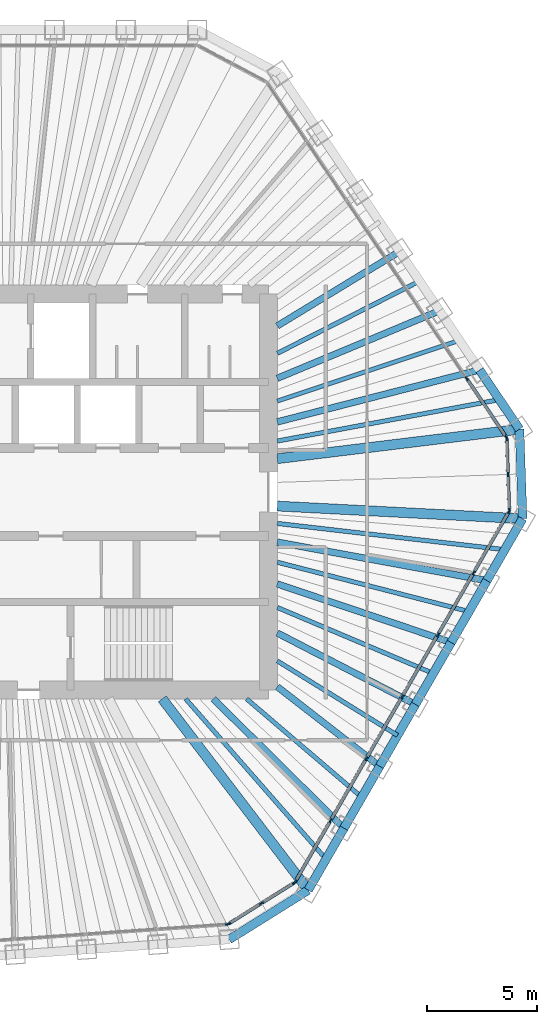
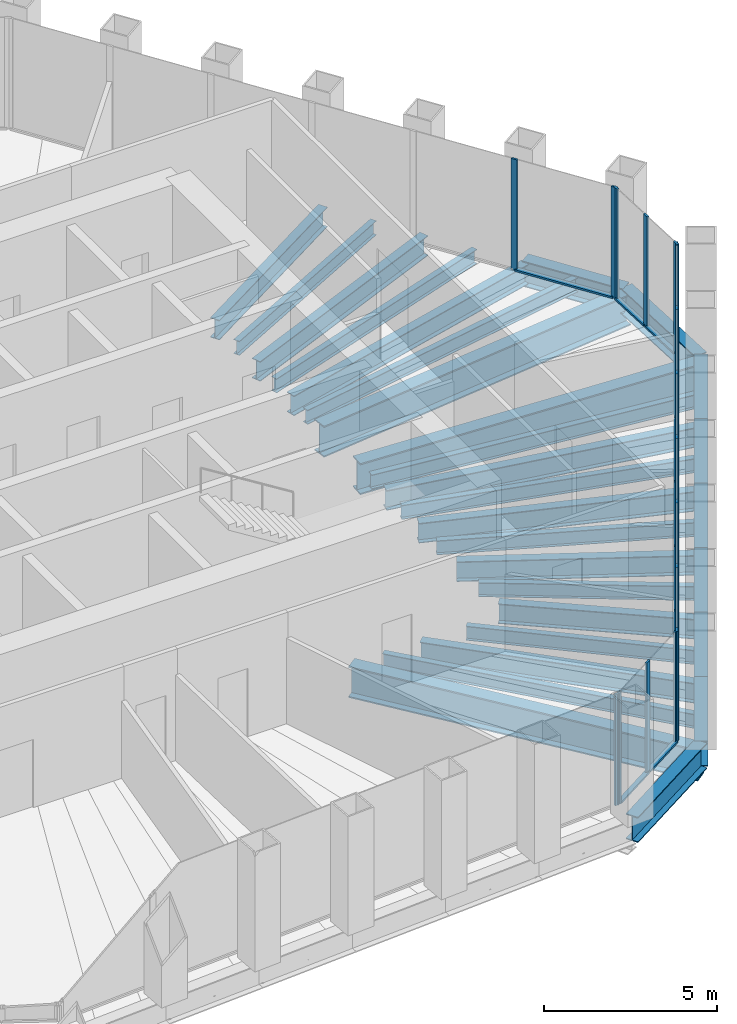
# One storey, part 5 of 14: 29 beams, 27 members, 5 elements without a shape of their own.
"""IFC4 building model written with IfcOpenShell, lengths in metres."""

from ifc_helpers import new_model, si_unit, direction, frame, origin, origin_2d, place, context, subcontext, project, spatial, rectangle, i_section, extrude, material, material_profile, profile_set, type_object, element, aggregate, save


model = new_model("IFC4")

# Units and contexts
model_context = context("Model", 3, precision=1e-05, world=origin(), true_north=direction((0.0, 1.0)))
body_context = subcontext(model_context, "Body", "Model", "MODEL_VIEW")
ifc_project = project(units=[si_unit("LENGTHUNIT", "METRE"), si_unit("AREAUNIT", "SQUARE_METRE"), si_unit("VOLUMEUNIT", "CUBIC_METRE"), si_unit("PLANEANGLEUNIT", "RADIAN"), si_unit("MASSUNIT", "GRAM", prefix="KILO")], contexts=[model_context])

# Site, building, storey
site_placement = place(None, origin())
site = spatial("IfcSite", under=ifc_project, at=site_placement, CompositionType="ELEMENT")
building_placement = place(site_placement, origin())
building = spatial("IfcBuilding", under=site, at=building_placement, Name="Qingtian Harvest Tower", CompositionType="ELEMENT")
storey_placement = place(building_placement, frame((0.0, 0.0, 333.39990234375)))
storey = spatial("IfcBuildingStorey", under=building, at=storey_placement, Name="L74", CompositionType="ELEMENT", Elevation=333.39990234375)

# Beams
ifc_material_1 = material(Name="Steel SM570MC", Category="steel")
ifc_material_profile_1 = material_profile(ifc_material_1, i_section(OverallWidth=0.449951171875, OverallDepth=1.10009765625, WebThickness=0.02197265625, FlangeThickness=0.044921875, at=origin_2d()), Name="H1100x450x22x45")
ifc_profile_set_1 = profile_set([ifc_material_profile_1], Name="Steel SM570MC")
beam_type_1 = type_object("IfcBeamType", Name="Corner floor beam FB8 H1100x450x22x45", PredefinedType="BEAM", material=ifc_profile_set_1)
beam_1_placement = place(storey_placement, frame((23.405517578125, 2.85400390625, -0.719970703125), z_axis=(-0.992647039178, -0.121044849583, 0.0), x_axis=(0.121044849583, -0.992647039178, 0.0)))
element("IfcBeam", 1, at=beam_1_placement, inside=storey, type_object=beam_type_1, Name="Floor beam FB8 NE6", PredefinedType="BEAM", context=body_context, shape_type="SweptSolid", body=[
    extrude(i_section(OverallWidth=0.449951171875, OverallDepth=1.10009765625, WebThickness=0.02197265625, FlangeThickness=0.044921875, at=origin_2d()), origin(), (0.0, 0.0, 1.0), 11.087158203125),
])
beam_2_placement = place(storey_placement, frame((23.547607421875, -1.21435546875, -0.719970703125), z_axis=(-0.998672618964, 0.051507282312, 0.0), x_axis=(-0.051507282312, -0.998672618964, 0.0)))
element("IfcBeam", 2, at=beam_2_placement, inside=storey, type_object=beam_type_1, Name="Floor beam FB8 SE0", PredefinedType="BEAM", context=body_context, shape_type="SweptSolid", body=[
    extrude(i_section(OverallWidth=0.449951171875, OverallDepth=1.10009765625, WebThickness=0.02197265625, FlangeThickness=0.044921875, at=origin_2d()), origin(), (0.0, 0.0, 1.0), 11.16259765625),
])
beam_3_placement = place(storey_placement, frame((13.803466796875, -18.091552734375, -0.719970703125), z_axis=(-0.606571927806, 0.795028613572, 0.0), x_axis=(-0.795028613572, -0.606571927806, 0.0)))
element("IfcBeam", 3, at=beam_3_placement, inside=storey, type_object=beam_type_1, Name="Floor beam FB8 SE6", PredefinedType="BEAM", context=body_context, shape_type="SweptSolid", body=[
    extrude(i_section(OverallWidth=0.449951171875, OverallDepth=1.10009765625, WebThickness=0.02197265625, FlangeThickness=0.044921875, at=origin_2d()), origin(), (0.0, 0.0, 1.0), 10.9326171875),
])
ifc_material_2 = material(Name="Steel SN490B", Category="steel")
ifc_material_profile_2 = material_profile(ifc_material_2, i_section(OverallWidth=0.300048828125, OverallDepth=0.699951171875, WebThickness=0.012939453125, FlangeThickness=0.02392578125, at=origin_2d()), Name="H700x300x13x24")
ifc_profile_set_2 = profile_set([ifc_material_profile_2], Name="Steel SN490B")
beam_type_2 = type_object("IfcBeamType", Name="Floor beam FB4 H700x300x13x24", PredefinedType="BEAM", material=ifc_profile_set_2)
beam_4_placement = place(storey_placement, frame((17.956787109375, 10.93212890625, -0.52001953125), z_axis=(-0.854157247087, -0.520014804836, 0.0), x_axis=(0.520014804836, -0.854157247087, 0.0)))
element("IfcBeam", 4, at=beam_4_placement, inside=storey, type_object=beam_type_2, Name="Floor beam FB4 NE3", PredefinedType="BEAM", context=body_context, shape_type="SweptSolid", body=[
    extrude(i_section(OverallWidth=0.300048828125, OverallDepth=0.699951171875, WebThickness=0.012939453125, FlangeThickness=0.02392578125, at=origin_2d()), origin(), (0.0, 0.0, 1.0), 6.505615234375),
])
beam_5_placement = place(storey_placement, frame((19.77294921875, 8.2392578125, -0.52001953125), z_axis=(-0.923069688542, -0.38463274704, 0.0), x_axis=(0.38463274704, -0.923069688542, 0.0)))
element("IfcBeam", 5, at=beam_5_placement, inside=storey, type_object=beam_type_2, Name="Floor beam FB4 NE4", PredefinedType="BEAM", context=body_context, shape_type="SweptSolid", body=[
    extrude(i_section(OverallWidth=0.300048828125, OverallDepth=0.699951171875, WebThickness=0.012939453125, FlangeThickness=0.02392578125, at=origin_2d()), origin(), (0.0, 0.0, 1.0), 7.987548828125),
])
beam_6_placement = place(storey_placement, frame((21.58935546875, 5.546630859375, -0.52001953125), z_axis=(-0.96854787986, -0.248827258189, 0.0), x_axis=(0.248827258189, -0.96854787986, 0.0)))
element("IfcBeam", 6, at=beam_6_placement, inside=storey, type_object=beam_type_2, Name="Floor beam FB4 NE5", PredefinedType="BEAM", context=body_context, shape_type="SweptSolid", body=[
    extrude(i_section(OverallWidth=0.300048828125, OverallDepth=0.699951171875, WebThickness=0.012939453125, FlangeThickness=0.02392578125, at=origin_2d()), origin(), (0.0, 0.0, 1.0), 9.48779296875),
])
beam_7_placement = place(storey_placement, frame((21.923583984375, -4.027099609375, -0.52001953125), z_axis=(-0.983546800525, 0.180653511389, 0.0), x_axis=(-0.180653511389, -0.983546800525, 0.0)))
element("IfcBeam", 7, at=beam_7_placement, inside=storey, type_object=beam_type_2, Name="Floor beam FB4 SE1", PredefinedType="BEAM", context=body_context, shape_type="SweptSolid", body=[
    extrude(i_section(OverallWidth=0.300048828125, OverallDepth=0.699951171875, WebThickness=0.012939453125, FlangeThickness=0.02392578125, at=origin_2d()), origin(), (0.0, 0.0, 1.0), 9.68310546875),
])
beam_8_placement = place(storey_placement, frame((20.299560546875, -6.840087890625, -0.52001953125), z_axis=(-0.947647345861, 0.319318818553, 0.0), x_axis=(-0.319318818553, -0.947647345861, 0.0)))
element("IfcBeam", 8, at=beam_8_placement, inside=storey, type_object=beam_type_2, Name="Floor beam FB4 SE2", PredefinedType="BEAM", context=body_context, shape_type="SweptSolid", body=[
    extrude(i_section(OverallWidth=0.300048828125, OverallDepth=0.699951171875, WebThickness=0.012939453125, FlangeThickness=0.02392578125, at=origin_2d()), origin(), (0.0, 0.0, 1.0), 8.336181640625),
])
beam_9_placement = place(storey_placement, frame((18.675537109375, -9.65283203125, -0.52001953125), z_axis=(-0.888354253651, 0.459158708967, 0.0), x_axis=(-0.459158708967, -0.888354253651, 0.0)))
element("IfcBeam", 9, at=beam_9_placement, inside=storey, type_object=beam_type_2, Name="Floor beam FB4 SE3", PredefinedType="BEAM", context=body_context, shape_type="SweptSolid", body=[
    extrude(i_section(OverallWidth=0.300048828125, OverallDepth=0.699951171875, WebThickness=0.012939453125, FlangeThickness=0.02392578125, at=origin_2d()), origin(), (0.0, 0.0, 1.0), 7.064453125),
])
beam_10_placement = place(storey_placement, frame((17.051513671875, -12.4658203125, -0.52001953125), z_axis=(-0.789532919969, 0.613708211029, 0.0), x_axis=(-0.613708211029, -0.789532919969, 0.0)))
element("IfcBeam", 10, at=beam_10_placement, inside=storey, type_object=beam_type_2, Name="Floor beam FB4 SE4", PredefinedType="BEAM", context=body_context, shape_type="SweptSolid", body=[
    extrude(i_section(OverallWidth=0.300048828125, OverallDepth=0.699951171875, WebThickness=0.012939453125, FlangeThickness=0.02392578125, at=origin_2d()), origin(), (0.0, 0.0, 1.0), 5.8916015625),
])
beam_11_placement = place(storey_placement, frame((15.427490234375, -15.278564453125, -0.52001953125), z_axis=(-0.71051769643, 0.703679332552, 0.0), x_axis=(-0.703679332552, -0.71051769643, 0.0)))
element("IfcBeam", 11, at=beam_11_placement, inside=storey, type_object=beam_type_2, Name="Floor beam FB4 SE5", PredefinedType="BEAM", context=body_context, shape_type="SweptSolid", body=[
    extrude(i_section(OverallWidth=0.300048828125, OverallDepth=0.699951171875, WebThickness=0.012939453125, FlangeThickness=0.02392578125, at=origin_2d()), origin(), (0.0, 0.0, 1.0), 8.354248046875),
])
ifc_material_3 = material(Name="Steel SN490B", Category="steel")
ifc_material_profile_3 = material_profile(ifc_material_3, i_section(OverallWidth=0.199951171875, OverallDepth=0.5, WebThickness=0.010009765625, FlangeThickness=0.01611328125, at=origin_2d()), Name="H500x200x10x16")
ifc_profile_set_3 = profile_set([ifc_material_profile_3], Name="Steel SN490B")
beam_type_3 = type_object("IfcBeamType", Name="Floor joist J3 H500x200x10x16", PredefinedType="JOIST", material=ifc_profile_set_3)
beam_12_placement = place(storey_placement, frame((18.864990234375, 9.585693359375, -0.419921875), z_axis=(-0.891519956149, -0.452981421018, 0.0), x_axis=(0.452981421018, -0.891519956149, 0.0)))
element("IfcBeam", 12, at=beam_12_placement, inside=storey, type_object=beam_type_3, Name="Floor joist J3 NE3", PredefinedType="JOIST", context=body_context, shape_type="SweptSolid", body=[
    extrude(i_section(OverallWidth=0.199951171875, OverallDepth=0.5, WebThickness=0.010009765625, FlangeThickness=0.01611328125, at=origin_2d()), origin(), (0.0, 0.0, 1.0), 7.251708984375),
])
beam_13_placement = place(storey_placement, frame((20.68115234375, 6.89306640625, -0.419921875), z_axis=(-0.948688891587, -0.316210984914, 0.0), x_axis=(0.316210984914, -0.948688891587, 0.0)))
element("IfcBeam", 13, at=beam_13_placement, inside=storey, type_object=beam_type_3, Name="Floor joist J3 NE4", PredefinedType="JOIST", context=body_context, shape_type="SweptSolid", body=[
    extrude(i_section(OverallWidth=0.199951171875, OverallDepth=0.5, WebThickness=0.010009765625, FlangeThickness=0.01611328125, at=origin_2d()), origin(), (0.0, 0.0, 1.0), 8.729248046875),
])
beam_14_placement = place(storey_placement, frame((22.49755859375, 4.2001953125, -0.419921875), z_axis=(-0.983018248018, -0.183507831067, 0.0), x_axis=(0.183507831067, -0.983018248018, 0.0)))
element("IfcBeam", 14, at=beam_14_placement, inside=storey, type_object=beam_type_3, Name="Floor joist J3 NE5", PredefinedType="JOIST", context=body_context, shape_type="SweptSolid", body=[
    extrude(i_section(OverallWidth=0.199951171875, OverallDepth=0.5, WebThickness=0.010009765625, FlangeThickness=0.01611328125, at=origin_2d()), origin(), (0.0, 0.0, 1.0), 10.27197265625),
])
beam_15_placement = place(storey_placement, frame((22.735595703125, -2.62060546875, -0.419921875), z_axis=(-0.993421775836, 0.114512773499, 0.0), x_axis=(-0.114512773499, -0.993421775836, 0.0)))
element("IfcBeam", 15, at=beam_15_placement, inside=storey, type_object=beam_type_3, Name="Floor joist J3 SE0", PredefinedType="JOIST", context=body_context, shape_type="SweptSolid", body=[
    extrude(i_section(OverallWidth=0.199951171875, OverallDepth=0.5, WebThickness=0.010009765625, FlangeThickness=0.01611328125, at=origin_2d()), origin(), (0.0, 0.0, 1.0), 10.404052734375),
])
beam_16_placement = place(storey_placement, frame((21.111572265625, -5.43359375, -0.419921875), z_axis=(-0.968438109541, 0.249254143374, 0.0), x_axis=(-0.249254143374, -0.968438109541, 0.0)))
element("IfcBeam", 16, at=beam_16_placement, inside=storey, type_object=beam_type_3, Name="Floor joist J3 SE1", PredefinedType="JOIST", context=body_context, shape_type="SweptSolid", body=[
    extrude(i_section(OverallWidth=0.199951171875, OverallDepth=0.5, WebThickness=0.010009765625, FlangeThickness=0.01611328125, at=origin_2d()), origin(), (0.0, 0.0, 1.0), 8.99560546875),
])
beam_17_placement = place(storey_placement, frame((19.487548828125, -8.246337890625, -0.419921875), z_axis=(-0.92094842321, 0.389684490052, 0.0), x_axis=(-0.389684490052, -0.92094842321, 0.0)))
element("IfcBeam", 17, at=beam_17_placement, inside=storey, type_object=beam_type_3, Name="Floor joist J3 SE2", PredefinedType="JOIST", context=body_context, shape_type="SweptSolid", body=[
    extrude(i_section(OverallWidth=0.199951171875, OverallDepth=0.5, WebThickness=0.010009765625, FlangeThickness=0.01611328125, at=origin_2d()), origin(), (0.0, 0.0, 1.0), 7.696044921875),
])
beam_18_placement = place(storey_placement, frame((17.863525390625, -11.059326171875, -0.419921875), z_axis=(-0.850242474743, 0.526391236765, 0.0), x_axis=(-0.526391236765, -0.850242474743, 0.0)))
element("IfcBeam", 18, at=beam_18_placement, inside=storey, type_object=beam_type_3, Name="Floor joist J3 SE3", PredefinedType="JOIST", context=body_context, shape_type="SweptSolid", body=[
    extrude(i_section(OverallWidth=0.199951171875, OverallDepth=0.5, WebThickness=0.010009765625, FlangeThickness=0.01611328125, at=origin_2d()), origin(), (0.0, 0.0, 1.0), 6.426025390625),
])
beam_19_placement = place(storey_placement, frame((16.239501953125, -13.8720703125, -0.419921875), z_axis=(-0.760351789284, 0.649511475289, 0.0), x_axis=(-0.649511475289, -0.760351789284, 0.0)))
element("IfcBeam", 19, at=beam_19_placement, inside=storey, type_object=beam_type_3, Name="Floor joist J3 SE4", PredefinedType="JOIST", context=body_context, shape_type="SweptSolid", body=[
    extrude(i_section(OverallWidth=0.199951171875, OverallDepth=0.5, WebThickness=0.010009765625, FlangeThickness=0.01611328125, at=origin_2d()), origin(), (0.0, 0.0, 1.0), 6.885498046875),
])
beam_20_placement = place(storey_placement, frame((14.615478515625, -16.68505859375, -0.419921875), z_axis=(-0.658904284354, 0.75222679031, 0.0), x_axis=(-0.75222679031, -0.658904284354, 0.0)))
element("IfcBeam", 20, at=beam_20_placement, inside=storey, type_object=beam_type_3, Name="Floor joist J3 SE5", PredefinedType="JOIST", context=body_context, shape_type="SweptSolid", body=[
    extrude(i_section(OverallWidth=0.199951171875, OverallDepth=0.5, WebThickness=0.010009765625, FlangeThickness=0.01611328125, at=origin_2d()), origin(), (0.0, 0.0, 1.0), 9.684814453125),
])

# Curtain wall, members
ifc_material_4 = material(Name="Bronze-anodised aluminium curtain wall", Category="aluminium")
curtain_wall_type = type_object("IfcCurtainWallType", Name="Curtain wall CW6 executive floors", PredefinedType="USERDEFINED", material=ifc_material_4)
curtain_wall_1_placement = place(storey_placement, origin())
curtain_wall_1 = element("IfcCurtainWall", 21, at=curtain_wall_1_placement, inside=storey, type_object=curtain_wall_type, Name="Curtain wall CW6 L74 NE0-5", ObjectType="RECESSED CURTAIN WALL", PredefinedType="USERDEFINED")
ifc_material_5 = material(Name="Bronze-anodised aluminium mullion", Category="aluminium")
ifc_material_profile_4 = material_profile(ifc_material_5, rectangle(XDim=0.06494140625, YDim=0.199951171875, at=origin_2d()), Name="AL 65x200")
ifc_profile_set_4 = profile_set([ifc_material_profile_4], Name="Bronze-anodised aluminium mullion")
member_type_1 = type_object("IfcMemberType", Name="Mullion CWM 65x200", PredefinedType="MULLION", material=ifc_profile_set_4)
member_1_placement = place(storey_placement, frame((21.009033203125, 5.1552734375, 0.0), z_axis=(0.0, 0.0, 1.0), x_axis=(0.829037572555, 0.559192903471, 0.0)))
member_1 = element("IfcMember", 22, at=member_1_placement, type_object=member_type_1, Name="CW6 mullion 6", PredefinedType="MULLION", context=body_context, shape_type="SweptSolid", body=[
    extrude(rectangle(XDim=0.06494140625, YDim=0.199951171875, at=origin_2d()), origin(), (0.0, 0.0, 1.0), 3.920166015625),
])
member_2_placement = place(storey_placement, frame((22.80712890625, 2.489501953125, 0.0), z_axis=(0.0, 0.0, 1.0), x_axis=(0.829037572555, 0.559192903471, 0.0)))
member_2 = element("IfcMember", 23, at=member_2_placement, type_object=member_type_1, Name="CW6 mullion 7", PredefinedType="MULLION", context=body_context, shape_type="SweptSolid", body=[
    extrude(rectangle(XDim=0.06494140625, YDim=0.199951171875, at=origin_2d()), origin(), (0.0, 0.0, 1.0), 3.920166015625),
])

curtain_wall_2_placement = place(storey_placement, origin())
curtain_wall_2 = element("IfcCurtainWall", 24, at=curtain_wall_2_placement, inside=storey, type_object=curtain_wall_type, Name="Curtain wall CW6 L74 NEC", ObjectType="RECESSED CURTAIN WALL", PredefinedType="USERDEFINED")
member_3_placement = place(storey_placement, frame((22.826416015625, 2.429931640625, 0.0), z_axis=(0.0, 0.0, 1.0), x_axis=(0.999390827019, 0.034899496703, 0.0)))
member_3 = element("IfcMember", 25, at=member_3_placement, type_object=member_type_1, Name="CW6 mullion 1", PredefinedType="MULLION", context=body_context, shape_type="SweptSolid", body=[
    extrude(rectangle(XDim=0.06494140625, YDim=0.199951171875, at=origin_2d()), origin(), (0.0, 0.0, 1.0), 3.920166015625),
])
member_4_placement = place(storey_placement, frame((22.88330078125, 0.799072265625, 0.0), z_axis=(0.0, 0.0, 1.0), x_axis=(0.999390827019, 0.034899496703, 0.0)))
member_4 = element("IfcMember", 26, at=member_4_placement, type_object=member_type_1, Name="CW6 mullion 2", PredefinedType="MULLION", context=body_context, shape_type="SweptSolid", body=[
    extrude(rectangle(XDim=0.06494140625, YDim=0.199951171875, at=origin_2d()), origin(), (0.0, 0.0, 1.0), 3.920166015625),
])
member_5_placement = place(storey_placement, frame((22.9404296875, -0.831787109375, 0.0), z_axis=(0.0, 0.0, 1.0), x_axis=(0.999390827019, 0.034899496703, 0.0)))
member_5 = element("IfcMember", 27, at=member_5_placement, type_object=member_type_1, Name="CW6 mullion 3", PredefinedType="MULLION", context=body_context, shape_type="SweptSolid", body=[
    extrude(rectangle(XDim=0.06494140625, YDim=0.199951171875, at=origin_2d()), origin(), (0.0, 0.0, 1.0), 3.920166015625),
])

curtain_wall_3_placement = place(storey_placement, origin())
curtain_wall_3 = element("IfcCurtainWall", 28, at=curtain_wall_3_placement, inside=storey, type_object=curtain_wall_type, Name="Curtain wall CW6 L74 SE0-5", ObjectType="RECESSED CURTAIN WALL", PredefinedType="USERDEFINED")
member_6_placement = place(storey_placement, frame((22.92529296875, -0.892333984375, 0.0), z_axis=(0.0, 0.0, 1.0), x_axis=(0.866025403784, -0.5, 0.0)))
member_6 = element("IfcMember", 29, at=member_6_placement, type_object=member_type_1, Name="CW6 mullion 1", PredefinedType="MULLION", context=body_context, shape_type="SweptSolid", body=[
    extrude(rectangle(XDim=0.06494140625, YDim=0.199951171875, at=origin_2d()), origin(), (0.0, 0.0, 1.0), 3.920166015625),
])
member_7_placement = place(storey_placement, frame((21.3173828125, -3.67724609375, 0.0), z_axis=(0.0, 0.0, 1.0), x_axis=(0.866025403784, -0.5, 0.0)))
member_7 = element("IfcMember", 30, at=member_7_placement, type_object=member_type_1, Name="CW6 mullion 2", PredefinedType="MULLION", context=body_context, shape_type="SweptSolid", body=[
    extrude(rectangle(XDim=0.06494140625, YDim=0.199951171875, at=origin_2d()), origin(), (0.0, 0.0, 1.0), 3.920166015625),
])
member_8_placement = place(storey_placement, frame((19.693359375, -6.489990234375, 0.0), z_axis=(0.0, 0.0, 1.0), x_axis=(0.866025403784, -0.5, 0.0)))
member_8 = element("IfcMember", 31, at=member_8_placement, type_object=member_type_1, Name="CW6 mullion 3", PredefinedType="MULLION", context=body_context, shape_type="SweptSolid", body=[
    extrude(rectangle(XDim=0.06494140625, YDim=0.199951171875, at=origin_2d()), origin(), (0.0, 0.0, 1.0), 3.920166015625),
])
member_9_placement = place(storey_placement, frame((18.0693359375, -9.302978515625, 0.0), z_axis=(0.0, 0.0, 1.0), x_axis=(0.866025403784, -0.5, 0.0)))
member_9 = element("IfcMember", 32, at=member_9_placement, type_object=member_type_1, Name="CW6 mullion 4", PredefinedType="MULLION", context=body_context, shape_type="SweptSolid", body=[
    extrude(rectangle(XDim=0.06494140625, YDim=0.199951171875, at=origin_2d()), origin(), (0.0, 0.0, 1.0), 3.920166015625),
])
member_10_placement = place(storey_placement, frame((16.4453125, -12.11572265625, 0.0), z_axis=(0.0, 0.0, 1.0), x_axis=(0.866025403784, -0.5, 0.0)))
member_10 = element("IfcMember", 33, at=member_10_placement, type_object=member_type_1, Name="CW6 mullion 5", PredefinedType="MULLION", context=body_context, shape_type="SweptSolid", body=[
    extrude(rectangle(XDim=0.06494140625, YDim=0.199951171875, at=origin_2d()), origin(), (0.0, 0.0, 1.0), 3.920166015625),
])
member_11_placement = place(storey_placement, frame((14.8212890625, -14.9287109375, 0.0), z_axis=(0.0, 0.0, 1.0), x_axis=(0.866025403784, -0.5, 0.0)))
member_11 = element("IfcMember", 34, at=member_11_placement, type_object=member_type_1, Name="CW6 mullion 6", PredefinedType="MULLION", context=body_context, shape_type="SweptSolid", body=[
    extrude(rectangle(XDim=0.06494140625, YDim=0.199951171875, at=origin_2d()), origin(), (0.0, 0.0, 1.0), 3.920166015625),
])
member_12_placement = place(storey_placement, frame((13.213623046875, -17.71337890625, 0.0), z_axis=(0.0, 0.0, 1.0), x_axis=(0.866025403784, -0.5, 0.0)))
member_12 = element("IfcMember", 35, at=member_12_placement, type_object=member_type_1, Name="CW6 mullion 7", PredefinedType="MULLION", context=body_context, shape_type="SweptSolid", body=[
    extrude(rectangle(XDim=0.06494140625, YDim=0.199951171875, at=origin_2d()), origin(), (0.0, 0.0, 1.0), 3.920166015625),
])

curtain_wall_4_placement = place(storey_placement, origin())
curtain_wall_4 = element("IfcCurtainWall", 36, at=curtain_wall_4_placement, inside=storey, type_object=curtain_wall_type, Name="Curtain wall CW6 L74 SEC", ObjectType="RECESSED CURTAIN WALL", PredefinedType="USERDEFINED")
member_13_placement = place(storey_placement, frame((13.169921875, -17.7587890625, 0.0), z_axis=(0.0, 0.0, 1.0), x_axis=(0.529919264233, -0.848048096156, 0.0)))
member_13 = element("IfcMember", 37, at=member_13_placement, type_object=member_type_1, Name="CW6 mullion 1", PredefinedType="MULLION", context=body_context, shape_type="SweptSolid", body=[
    extrude(rectangle(XDim=0.06494140625, YDim=0.199951171875, at=origin_2d()), origin(), (0.0, 0.0, 1.0), 3.920166015625),
])
member_14_placement = place(storey_placement, frame((11.678955078125, -18.690185546875, 0.0), z_axis=(0.0, 0.0, 1.0), x_axis=(0.529919264233, -0.848048096156, 0.0)))
member_14 = element("IfcMember", 38, at=member_14_placement, type_object=member_type_1, Name="CW6 mullion 2", PredefinedType="MULLION", context=body_context, shape_type="SweptSolid", body=[
    extrude(rectangle(XDim=0.06494140625, YDim=0.199951171875, at=origin_2d()), origin(), (0.0, 0.0, 1.0), 3.920166015625),
])
member_15_placement = place(storey_placement, frame((10.188232421875, -19.621826171875, 0.0), z_axis=(0.0, 0.0, 1.0), x_axis=(0.529919264233, -0.848048096156, 0.0)))
member_15 = element("IfcMember", 39, at=member_15_placement, type_object=member_type_1, Name="CW6 mullion 3", PredefinedType="MULLION", context=body_context, shape_type="SweptSolid", body=[
    extrude(rectangle(XDim=0.06494140625, YDim=0.199951171875, at=origin_2d()), origin(), (0.0, 0.0, 1.0), 3.920166015625),
])

# Curtain wall, member
curtain_wall_5_placement = place(storey_placement, origin())
curtain_wall_5 = element("IfcCurtainWall", 40, at=curtain_wall_5_placement, inside=storey, type_object=curtain_wall_type, Name="Curtain wall CW6 L74 S0-5", ObjectType="RECESSED CURTAIN WALL", PredefinedType="USERDEFINED")
member_16_placement = place(storey_placement, frame((10.128173828125, -19.641357421875, 0.0), z_axis=(0.0, 0.0, 1.0), x_axis=(0.069756473744, -0.99756405026, 0.0)))
member_16 = element("IfcMember", 41, at=member_16_placement, type_object=member_type_1, Name="CW6 mullion 1", PredefinedType="MULLION", context=body_context, shape_type="SweptSolid", body=[
    extrude(rectangle(XDim=0.06494140625, YDim=0.199951171875, at=origin_2d()), origin(), (0.0, 0.0, 1.0), 3.920166015625),
])
aggregate(curtain_wall_5, [member_16])

# Beams
ifc_material_6 = material(Name="Steel SN490B", Category="steel")
ifc_material_profile_5 = material_profile(ifc_material_6, i_section(OverallWidth=0.39990234375, OverallDepth=0.89990234375, WebThickness=0.01904296875, FlangeThickness=0.035888671875, at=origin_2d()), Name="H900x400x19x36")
ifc_profile_set_5 = profile_set([ifc_material_profile_5], Name="Steel SN490B")
beam_type_4 = type_object("IfcBeamType", Name="Spandrel beam SB4 H900x400x19x36", PredefinedType="SPANDREL", material=ifc_profile_set_5)
beam_21_placement = place(storey_placement, frame((21.58935546875, 5.546630859375, -0.449951171875), z_axis=(0.559184924833, -0.829042954158, 0.0), x_axis=(0.829042954158, 0.559184924833, 0.0)))
element("IfcBeam", 42, at=beam_21_placement, inside=storey, type_object=beam_type_4, Name="Spandrel SB4 NE5", PredefinedType="SPANDREL", context=body_context, shape_type="SweptSolid", body=[
    extrude(i_section(OverallWidth=0.39990234375, OverallDepth=0.89990234375, WebThickness=0.01904296875, FlangeThickness=0.035888671875, at=origin_2d()), origin(), (0.0, 0.0, 1.0), 3.247802734375),
])
beam_22_placement = place(storey_placement, frame((23.405517578125, 2.85400390625, -0.449951171875), z_axis=(0.034904306503, -0.999390659046, 0.0), x_axis=(0.999390659046, 0.034904306503, 0.0)))
element("IfcBeam", 43, at=beam_22_placement, inside=storey, type_object=beam_type_4, Name="Spandrel SB4 NEC", PredefinedType="SPANDREL", context=body_context, shape_type="SweptSolid", body=[
    extrude(i_section(OverallWidth=0.39990234375, OverallDepth=0.89990234375, WebThickness=0.01904296875, FlangeThickness=0.035888671875, at=origin_2d()), origin(), (0.0, 0.0, 1.0), 4.07080078125),
])
beam_23_placement = place(storey_placement, frame((23.547607421875, -1.21435546875, -0.449951171875), z_axis=(-0.500019593356, -0.866014091259, 0.0), x_axis=(0.866014091259, -0.500019593356, 0.0)))
element("IfcBeam", 44, at=beam_23_placement, inside=storey, type_object=beam_type_4, Name="Spandrel SB4 SE0", PredefinedType="SPANDREL", context=body_context, shape_type="SweptSolid", body=[
    extrude(i_section(OverallWidth=0.39990234375, OverallDepth=0.89990234375, WebThickness=0.01904296875, FlangeThickness=0.035888671875, at=origin_2d()), origin(), (0.0, 0.0, 1.0), 3.247802734375),
])
beam_24_placement = place(storey_placement, frame((21.923583984375, -4.027099609375, -0.449951171875), z_axis=(-0.499987045439, -0.866032882975, 0.0), x_axis=(0.866032882975, -0.499987045439, 0.0)))
element("IfcBeam", 45, at=beam_24_placement, inside=storey, type_object=beam_type_4, Name="Spandrel SB4 SE1", PredefinedType="SPANDREL", context=body_context, shape_type="SweptSolid", body=[
    extrude(i_section(OverallWidth=0.39990234375, OverallDepth=0.89990234375, WebThickness=0.01904296875, FlangeThickness=0.035888671875, at=origin_2d()), origin(), (0.0, 0.0, 1.0), 3.248046875),
])
beam_25_placement = place(storey_placement, frame((20.299560546875, -6.840087890625, -0.449951171875), z_axis=(-0.500019593356, -0.866014091259, 0.0), x_axis=(0.866014091259, -0.500019593356, 0.0)))
element("IfcBeam", 46, at=beam_25_placement, inside=storey, type_object=beam_type_4, Name="Spandrel SB4 SE2", PredefinedType="SPANDREL", context=body_context, shape_type="SweptSolid", body=[
    extrude(i_section(OverallWidth=0.39990234375, OverallDepth=0.89990234375, WebThickness=0.01904296875, FlangeThickness=0.035888671875, at=origin_2d()), origin(), (0.0, 0.0, 1.0), 3.247802734375),
])
beam_26_placement = place(storey_placement, frame((18.675537109375, -9.65283203125, -0.449951171875), z_axis=(-0.499987045439, -0.866032882975, 0.0), x_axis=(0.866032882975, -0.499987045439, 0.0)))
element("IfcBeam", 47, at=beam_26_placement, inside=storey, type_object=beam_type_4, Name="Spandrel SB4 SE3", PredefinedType="SPANDREL", context=body_context, shape_type="SweptSolid", body=[
    extrude(i_section(OverallWidth=0.39990234375, OverallDepth=0.89990234375, WebThickness=0.01904296875, FlangeThickness=0.035888671875, at=origin_2d()), origin(), (0.0, 0.0, 1.0), 3.248046875),
])
beam_27_placement = place(storey_placement, frame((17.051513671875, -12.4658203125, -0.449951171875), z_axis=(-0.500019593356, -0.866014091259, 0.0), x_axis=(0.866014091259, -0.500019593356, 0.0)))
element("IfcBeam", 48, at=beam_27_placement, inside=storey, type_object=beam_type_4, Name="Spandrel SB4 SE4", PredefinedType="SPANDREL", context=body_context, shape_type="SweptSolid", body=[
    extrude(i_section(OverallWidth=0.39990234375, OverallDepth=0.89990234375, WebThickness=0.01904296875, FlangeThickness=0.035888671875, at=origin_2d()), origin(), (0.0, 0.0, 1.0), 3.247802734375),
])
beam_28_placement = place(storey_placement, frame((15.427490234375, -15.278564453125, -0.449951171875), z_axis=(-0.499987045439, -0.866032882975, 0.0), x_axis=(0.866032882975, -0.499987045439, 0.0)))
element("IfcBeam", 49, at=beam_28_placement, inside=storey, type_object=beam_type_4, Name="Spandrel SB4 SE5", PredefinedType="SPANDREL", context=body_context, shape_type="SweptSolid", body=[
    extrude(i_section(OverallWidth=0.39990234375, OverallDepth=0.89990234375, WebThickness=0.01904296875, FlangeThickness=0.035888671875, at=origin_2d()), origin(), (0.0, 0.0, 1.0), 3.248046875),
])
beam_29_placement = place(storey_placement, frame((13.803466796875, -18.091552734375, -0.449951171875), z_axis=(-0.848040374245, -0.529931621675, 0.0), x_axis=(0.529931621675, -0.848040374245, 0.0)))
element("IfcBeam", 50, at=beam_29_placement, inside=storey, type_object=beam_type_4, Name="Spandrel SB4 SEC", PredefinedType="SPANDREL", context=body_context, shape_type="SweptSolid", body=[
    extrude(i_section(OverallWidth=0.39990234375, OverallDepth=0.89990234375, WebThickness=0.01904296875, FlangeThickness=0.035888671875, at=origin_2d()), origin(), (0.0, 0.0, 1.0), 4.238037109375),
])

# Member
ifc_material_7 = material(Name="Bronze-anodised aluminium transom", Category="aluminium")
ifc_material_profile_6 = material_profile(ifc_material_7, rectangle(XDim=0.14990234375, YDim=0.06494140625, at=origin_2d()), Name="AL 65x150")
ifc_profile_set_6 = profile_set([ifc_material_profile_6], Name="Bronze-anodised aluminium transom")
member_type_2 = type_object("IfcMemberType", Name="Transom CWT 65x150", PredefinedType="USERDEFINED", material=ifc_profile_set_6)
member_17_placement = place(storey_placement, frame((21.027099609375, 5.128173828125, 0.03271484375), z_axis=(0.559198649732, -0.829033696624, 0.0), x_axis=(0.829033696624, 0.559198649732, 0.0)))
member_17 = element("IfcMember", 51, at=member_17_placement, type_object=member_type_2, Name="CW6 transom 6.1", ObjectType="TRANSOM", PredefinedType="USERDEFINED", context=body_context, shape_type="SweptSolid", body=[
    extrude(rectangle(XDim=0.14990234375, YDim=0.06494140625, at=origin_2d()), origin(), (0.0, 0.0, 1.0), 3.150390625),
])

aggregate(curtain_wall_1, [member_1, member_2, member_17])

member_18_placement = place(storey_placement, frame((22.82763671875, 2.3974609375, 0.03271484375), z_axis=(0.034902326647, -0.999390728191, 0.0), x_axis=(0.999390728191, 0.034902326647, 0.0)))
member_18 = element("IfcMember", 52, at=member_18_placement, type_object=member_type_2, Name="CW6 transom 1.1", ObjectType="TRANSOM", PredefinedType="USERDEFINED", context=body_context, shape_type="SweptSolid", body=[
    extrude(rectangle(XDim=0.14990234375, YDim=0.06494140625, at=origin_2d()), origin(), (0.0, 0.0, 1.0), 1.56689453125),
])

member_19_placement = place(storey_placement, frame((22.884521484375, 0.7666015625, 0.03271484375), z_axis=(0.034902326647, -0.999390728191, 0.0), x_axis=(0.999390728191, 0.034902326647, 0.0)))
member_19 = element("IfcMember", 53, at=member_19_placement, type_object=member_type_2, Name="CW6 transom 2.1", ObjectType="TRANSOM", PredefinedType="USERDEFINED", context=body_context, shape_type="SweptSolid", body=[
    extrude(rectangle(XDim=0.14990234375, YDim=0.06494140625, at=origin_2d()), origin(), (0.0, 0.0, 1.0), 1.56689453125),
])

aggregate(curtain_wall_2, [member_3, member_4, member_5, member_18, member_19])

member_20_placement = place(storey_placement, frame((22.908935546875, -0.920654296875, 0.03271484375), z_axis=(-0.50000643655, -0.866021687608, 0.0), x_axis=(0.866021687608, -0.50000643655, 0.0)))
member_20 = element("IfcMember", 54, at=member_20_placement, type_object=member_type_2, Name="CW6 transom 1.1", ObjectType="TRANSOM", PredefinedType="USERDEFINED", context=body_context, shape_type="SweptSolid", body=[
    extrude(rectangle(XDim=0.14990234375, YDim=0.06494140625, at=origin_2d()), origin(), (0.0, 0.0, 1.0), 3.150390625),
])

member_21_placement = place(storey_placement, frame((21.30126953125, -3.705322265625, 0.03271484375), z_axis=(-0.5000079448, -0.866020816803, 0.0), x_axis=(0.866020816803, -0.5000079448, 0.0)))
member_21 = element("IfcMember", 55, at=member_21_placement, type_object=member_type_2, Name="CW6 transom 2.1", ObjectType="TRANSOM", PredefinedType="USERDEFINED", context=body_context, shape_type="SweptSolid", body=[
    extrude(rectangle(XDim=0.14990234375, YDim=0.06494140625, at=origin_2d()), origin(), (0.0, 0.0, 1.0), 3.18310546875),
])

member_22_placement = place(storey_placement, frame((19.67724609375, -6.51806640625, 0.03271484375), z_axis=(-0.5000079448, -0.866020816803, 0.0), x_axis=(0.866020816803, -0.5000079448, 0.0)))
member_22 = element("IfcMember", 56, at=member_22_placement, type_object=member_type_2, Name="CW6 transom 3.1", ObjectType="TRANSOM", PredefinedType="USERDEFINED", context=body_context, shape_type="SweptSolid", body=[
    extrude(rectangle(XDim=0.14990234375, YDim=0.06494140625, at=origin_2d()), origin(), (0.0, 0.0, 1.0), 3.18310546875),
])

member_23_placement = place(storey_placement, frame((18.05322265625, -9.3310546875, 0.03271484375), z_axis=(-0.5000079448, -0.866020816803, 0.0), x_axis=(0.866020816803, -0.5000079448, 0.0)))
member_23 = element("IfcMember", 57, at=member_23_placement, type_object=member_type_2, Name="CW6 transom 4.1", ObjectType="TRANSOM", PredefinedType="USERDEFINED", context=body_context, shape_type="SweptSolid", body=[
    extrude(rectangle(XDim=0.14990234375, YDim=0.06494140625, at=origin_2d()), origin(), (0.0, 0.0, 1.0), 3.18310546875),
])

member_24_placement = place(storey_placement, frame((16.42919921875, -12.143798828125, 0.03271484375), z_axis=(-0.5000079448, -0.866020816803, 0.0), x_axis=(0.866020816803, -0.5000079448, 0.0)))
member_24 = element("IfcMember", 58, at=member_24_placement, type_object=member_type_2, Name="CW6 transom 5.1", ObjectType="TRANSOM", PredefinedType="USERDEFINED", context=body_context, shape_type="SweptSolid", body=[
    extrude(rectangle(XDim=0.14990234375, YDim=0.06494140625, at=origin_2d()), origin(), (0.0, 0.0, 1.0), 3.18310546875),
])

member_25_placement = place(storey_placement, frame((14.80517578125, -14.956787109375, 0.03271484375), z_axis=(-0.499972881236, -0.866041060244, 0.0), x_axis=(0.866041060244, -0.499972881236, 0.0)))
member_25 = element("IfcMember", 59, at=member_25_placement, type_object=member_type_2, Name="CW6 transom 6.1", ObjectType="TRANSOM", PredefinedType="USERDEFINED", context=body_context, shape_type="SweptSolid", body=[
    extrude(rectangle(XDim=0.14990234375, YDim=0.06494140625, at=origin_2d()), origin(), (0.0, 0.0, 1.0), 3.150634765625),
])

aggregate(curtain_wall_3, [member_6, member_7, member_8, member_9, member_10, member_11, member_12, member_20, member_21, member_22, member_23, member_24, member_25])

member_26_placement = place(storey_placement, frame((13.142333984375, -17.77587890625, 0.03271484375), z_axis=(-0.84803880708, -0.529934129573, 0.0), x_axis=(0.529934129573, -0.84803880708, 0.0)))
member_26 = element("IfcMember", 60, at=member_26_placement, type_object=member_type_2, Name="CW6 transom 1.1", ObjectType="TRANSOM", PredefinedType="USERDEFINED", context=body_context, shape_type="SweptSolid", body=[
    extrude(rectangle(XDim=0.14990234375, YDim=0.06494140625, at=origin_2d()), origin(), (0.0, 0.0, 1.0), 1.693115234375),
])

member_27_placement = place(storey_placement, frame((11.6513671875, -18.70751953125, 0.03271484375), z_axis=(-0.847998304005, -0.529998940003, 0.0), x_axis=(0.529998940003, -0.847998304005, 0.0)))
member_27 = element("IfcMember", 61, at=member_27_placement, type_object=member_type_2, Name="CW6 transom 2.1", ObjectType="TRANSOM", PredefinedType="USERDEFINED", context=body_context, shape_type="SweptSolid", body=[
    extrude(rectangle(XDim=0.14990234375, YDim=0.06494140625, at=origin_2d()), origin(), (0.0, 0.0, 1.0), 1.69287109375),
])

aggregate(curtain_wall_4, [member_13, member_14, member_15, member_26, member_27])

save(model, "model.ifc")
